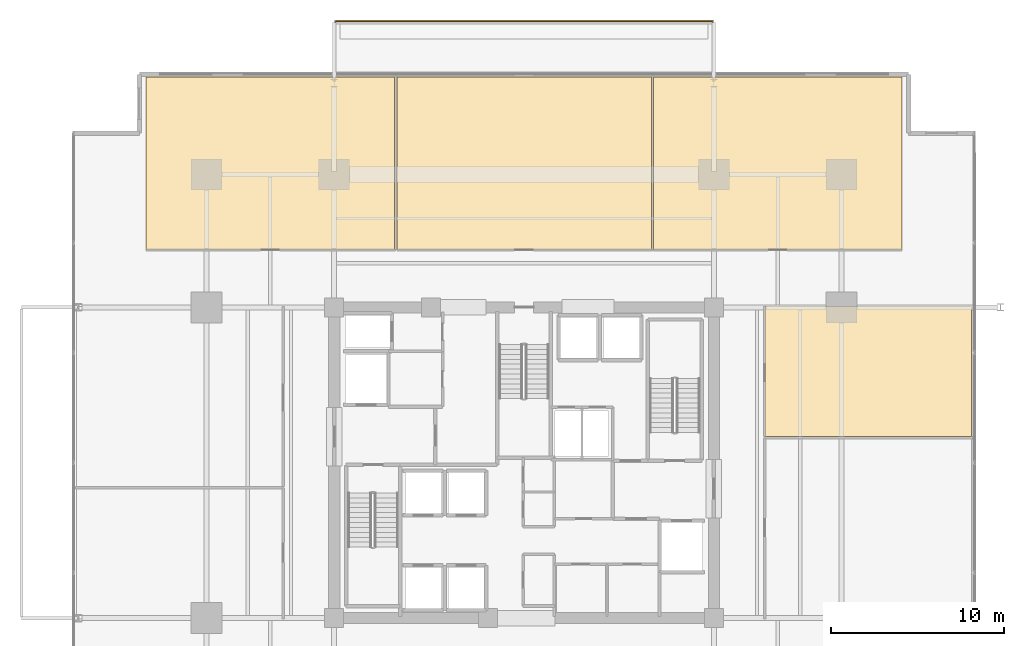
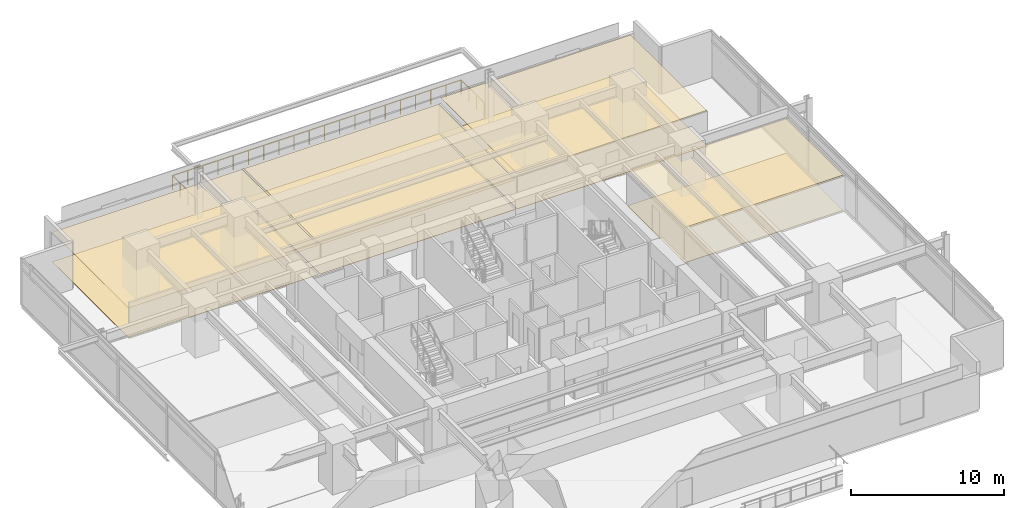
# One storey, part 22 of 22: 8 coverings, 1 railing.
"""IFC4 building model written with IfcOpenShell, lengths in metres."""

import ifcopenshell
import ifcopenshell.guid

model = None  # the IFC model being written
_history = None  # IfcOwnerHistory: only IFC2X3 demands one
_inside = {}  # id of a spatial element -> (the spatial element, [elements in it])
_under = {}  # id of a project, library or spatial element -> (it, [spatial elements below it])
_declared = {}  # id of a project -> (the project, [libraries it declares])
_typed = {}  # id of a type object -> (the type object, [elements of that type])
_made_of = {}  # id of a material, layer set ... -> (it, [elements and type objects made of it])


def new_model(schema):
    """Start an empty IFC model of exactly this schema.

    Asked for "IFC4X3", IfcOpenShell would pick the latest addendum, in which some entities
    have other attributes; the version numbers below select the first issue.
    IFC2X3 requires an IfcOwnerHistory on every rooted entity: one is made here for all.
    """
    global model, _history
    if schema == "IFC4X3":
        model = ifcopenshell.file(schema_version=(4, 3, 0, 0))
    else:
        model = ifcopenshell.file(schema=schema)
    _inside.clear()
    _under.clear()
    _declared.clear()
    _typed.clear()
    _made_of.clear()
    _history = None
    if model.schema == "IFC2X3":
        org = make("IfcOrganization", Name="unknown")
        user = make(
            "IfcPersonAndOrganization",
            ThePerson=make("IfcPerson", FamilyName="unknown"),
            TheOrganization=org,
        )
        app = make(
            "IfcApplication",
            ApplicationDeveloper=org,
            Version="unknown",
            ApplicationFullName="unknown",
            ApplicationIdentifier="unknown",
        )
        _history = make(
            "IfcOwnerHistory",
            OwningUser=user,
            OwningApplication=app,
            ChangeAction="ADDED",
            CreationDate=0,
        )
    return model


def make(cls, **values):
    """One entity of the class cls with the attributes given. An attribute that is None is left unset."""
    return model.create_entity(
        cls, **{name: value for name, value in values.items() if value is not None}
    )


def rooted(cls, **values):
    """An entity with a GlobalId (a new one), such as an element, a storey or a relation."""
    return make(cls, GlobalId=ifcopenshell.guid.new(), OwnerHistory=_history, **values)


def si_unit(unit_type, name, prefix=None):
    """IfcSIUnit, for example si_unit("LENGTHUNIT", "METRE", prefix="MILLI")."""
    return make("IfcSIUnit", UnitType=unit_type, Prefix=prefix, Name=name)


def assignment(units):
    """IfcUnitAssignment: the units of a project."""
    return None if units is None else make("IfcUnitAssignment", Units=units)


def point(xyz):
    """IfcCartesianPoint."""
    return None if xyz is None else make("IfcCartesianPoint", Coordinates=xyz)


def direction(xyz):
    """IfcDirection."""
    return None if xyz is None else make("IfcDirection", DirectionRatios=xyz)


def frame(location, z_axis=None, x_axis=None):
    """IfcAxis2Placement3D, a coordinate frame: its origin and axes. An axis left out is left unset."""
    return make(
        "IfcAxis2Placement3D",
        Location=point(location),
        Axis=direction(z_axis),
        RefDirection=direction(x_axis),
    )


def frame_2d(location, x_axis=None):
    """IfcAxis2Placement2D, a coordinate frame in the plane: its origin and x axis."""
    return make(
        "IfcAxis2Placement2D", Location=point(location), RefDirection=direction(x_axis)
    )


def origin():
    """The frame at (0, 0, 0) with its axes left unset."""
    return frame((0.0, 0.0, 0.0))


def origin_2d():
    """The frame at (0, 0) in the plane with its x axis left unset."""
    return frame_2d((0.0, 0.0))


def place(relative_to, where):
    """IfcLocalPlacement: puts the frame where relative to a parent placement (None: the world)."""
    return make(
        "IfcLocalPlacement", PlacementRelTo=relative_to, RelativePlacement=where
    )


def context(
    kind, dimensions, precision=None, world=None, true_north=None, identifier=None
):
    """IfcGeometricRepresentationContext, for example the 3D "Model" context."""
    return make(
        "IfcGeometricRepresentationContext",
        ContextIdentifier=identifier,
        ContextType=kind,
        CoordinateSpaceDimension=dimensions,
        Precision=precision,
        WorldCoordinateSystem=world,
        TrueNorth=true_north,
    )


def subcontext(parent, identifier, kind, view, scale=None):
    """IfcGeometricRepresentationSubContext, for example "Body" below "Model"."""
    return make(
        "IfcGeometricRepresentationSubContext",
        ContextIdentifier=identifier,
        ContextType=kind,
        ParentContext=parent,
        TargetScale=scale,
        TargetView=view,
    )


def project(units=None, contexts=None):
    """IfcProject with its units and contexts."""
    return rooted(
        "IfcProject",
        Name="project",
        RepresentationContexts=contexts,
        UnitsInContext=assignment(units),
    )


def spatial(cls, under=None, at=None, **own):
    """A site, building, storey or space (cls), placed at a placement, below another one or the project."""
    s = rooted(cls, ObjectPlacement=at, **own)
    if under is not None:
        _under.setdefault(under.id(), (under, []))[1].append(s)
    return s


def polyline(points):
    """IfcPolyline through the points."""
    return make("IfcPolyline", Points=[point(p) for p in points])


def profile(cls, at=None, kind="AREA", **sizes):
    """A parametric profile (cls). Its sizes go by their IFC names, for example OverallWidth=200.0."""
    return make(cls, ProfileType=kind, Position=at, **sizes)


def circle(**sizes):
    """IfcCircleProfileDef."""
    return profile("IfcCircleProfileDef", **sizes)


def outline(outer, holes=None, kind="AREA"):
    """IfcArbitraryClosedProfileDef: a profile drawn as a closed curve; with holes, ...WithVoids."""
    if holes is None:
        return make("IfcArbitraryClosedProfileDef", ProfileType=kind, OuterCurve=outer)
    return make(
        "IfcArbitraryProfileDefWithVoids",
        ProfileType=kind,
        OuterCurve=outer,
        InnerCurves=holes,
    )


def extrude(swept, where, along, depth):
    """IfcExtrudedAreaSolid: the profile swept, set in the frame where, extruded along a direction by depth."""
    return make(
        "IfcExtrudedAreaSolid",
        SweptArea=swept,
        Position=where,
        ExtrudedDirection=direction(along),
        Depth=depth,
    )


def shape(context_of_items, identifier, shape_type, items):
    """IfcShapeRepresentation: the items that make up one representation, for example the "Body"."""
    return make(
        "IfcShapeRepresentation",
        ContextOfItems=context_of_items,
        RepresentationIdentifier=identifier,
        RepresentationType=shape_type,
        Items=items,
    )


def material(Name=None, Category=None):
    """IfcMaterial."""
    return make("IfcMaterial", Name=Name, Category=Category)


def layer(
    of_material, thickness, ventilated=None, Name=None, Category=None, Priority=None
):
    """IfcMaterialLayer: one layer of a wall or slab, of a material (None: an air gap)."""
    return make(
        "IfcMaterialLayer",
        Material=of_material,
        LayerThickness=thickness,
        IsVentilated=ventilated,
        Name=Name,
        Category=Category,
        Priority=Priority,
    )


def layer_set(layers, Name=None):
    """IfcMaterialLayerSet."""
    return make("IfcMaterialLayerSet", MaterialLayers=layers, LayerSetName=Name)


def made_of(thing, what):
    """Note that an element or type object is made of a material, layer set ...; save() writes the relation."""
    if what is not None:
        _made_of.setdefault(what.id(), (what, []))[1].append(thing)
    return thing


def type_object(cls, material=None, **own):
    """A type object (cls), such as IfcWallType, which elements share."""
    return made_of(rooted(cls, **own), material)


def element(
    cls,
    number,
    at=None,
    inside=None,
    cuts=None,
    type_object=None,
    material=None,
    context=None,
    identifier="Body",
    shape_type=None,
    held_by="IfcProductDefinitionShape",
    body=None,
    shapes=None,
    **own,
):
    """One element of the class cls, such as IfcWall. Its Tag is "e" and its number.

    at: its placement. inside: the storey or other place that contains it. cuts: it is an
    opening in that element (IfcRelVoidsElement). A single representation is given by context,
    identifier, shape_type and body (its items); several are given by shapes. held_by: the class
    of the entity that holds the representations. save() writes the other relations.
    """
    e = rooted(cls, Tag="e%d" % number, ObjectPlacement=at, **own)
    if body is not None:
        shapes = [shape(context, identifier, shape_type, body)]
    if shapes is not None:
        e.Representation = make(held_by, Representations=shapes)
    if inside is not None:
        _inside.setdefault(inside.id(), (inside, []))[1].append(e)
    if cuts is not None:
        rooted(
            "IfcRelVoidsElement", RelatingBuildingElement=cuts, RelatedOpeningElement=e
        )
    if type_object is not None:
        _typed.setdefault(type_object.id(), (type_object, []))[1].append(e)
    return made_of(e, material)


def aggregate(whole, parts):
    """IfcRelAggregates: a whole, such as a stair, and the parts it consists of."""
    return rooted("IfcRelAggregates", RelatingObject=whole, RelatedObjects=parts)


def save(model, path):
    """Write the relations noted so far, then the file.

    IfcRelAggregates (storeys below a building ...), IfcRelContainedInSpatialStructure (elements
    in a storey), IfcRelDefinesByType, IfcRelAssociatesMaterial and IfcRelDeclares: one each for
    every whole, place, type object, material and project.
    """
    for whole, parts in _under.values():
        aggregate(whole, parts)
    for where, things in _inside.values():
        rooted(
            "IfcRelContainedInSpatialStructure",
            RelatedElements=things,
            RelatingStructure=where,
        )
    for kind, things in _typed.values():
        rooted("IfcRelDefinesByType", RelatedObjects=things, RelatingType=kind)
    for what, things in _made_of.values():
        rooted("IfcRelAssociatesMaterial", RelatedObjects=things, RelatingMaterial=what)
    for by, libraries in _declared.values():
        rooted("IfcRelDeclares", RelatingContext=by, RelatedDefinitions=libraries)
    model.write(path)


model = new_model("IFC4")

# Units and contexts
model_context = context("Model", 3, precision=1e-05, world=origin(), true_north=direction((0.0, 1.0)))
body_context = subcontext(model_context, "Body", "Model", "MODEL_VIEW")
ifc_project = project(units=[si_unit("LENGTHUNIT", "METRE"), si_unit("AREAUNIT", "SQUARE_METRE"), si_unit("VOLUMEUNIT", "CUBIC_METRE"), si_unit("PLANEANGLEUNIT", "RADIAN"), si_unit("MASSUNIT", "GRAM", prefix="KILO")], contexts=[model_context])

# Site, building, storey
site_placement = place(None, origin())
site = spatial("IfcSite", under=ifc_project, at=site_placement, CompositionType="ELEMENT")
building_placement = place(site_placement, origin())
building = spatial("IfcBuilding", under=site, at=building_placement, Name="Kovane Verandah Tower", CompositionType="ELEMENT")
storey_placement = place(building_placement, frame((0.0, 0.0, 71.60009765625)))
storey = spatial("IfcBuildingStorey", under=building, at=storey_placement, Name="L16", CompositionType="ELEMENT", Elevation=71.60009765625)

# Coverings
ifc_material_1 = material(Name="Perforated Acoustic Mineral-Fibre Ceiling Tile", Category="gypsum")
ifc_layer_1 = layer(ifc_material_1, 0.02490234375)
ifc_layer_set_1 = layer_set([ifc_layer_1], Name="Perforated Acoustic Mineral-Fibre Ceiling Tile")
covering_type_1 = type_object("IfcCoveringType", Name="CV-CEIL-25", PredefinedType="CEILING", material=ifc_layer_set_1)
covering_1_placement = place(storey_placement, frame((0.0, 0.0, 2.364990234375)))
element("IfcCovering", 1, at=covering_1_placement, inside=storey, type_object=covering_type_1, Name="L16 Meeting Room N1 Acoustic Ceiling", PredefinedType="CEILING", context=body_context, shape_type="SweptSolid", body=[
    extrude(outline(polyline([(18.113525390625, 39.85009765625), (32.488525390625, 39.85009765625), (32.488525390625, 49.8505859375), (18.113525390625, 49.8505859375), (18.113525390625, 39.85009765625)])), origin(), (0.0, 0.0, 1.0), 0.02490234375),
])
covering_2_placement = place(storey_placement, frame((0.0, 0.0, 2.364990234375)))
element("IfcCovering", 2, at=covering_2_placement, inside=storey, type_object=covering_type_1, Name="L16 Focus Studio N2 Acoustic Ceiling", PredefinedType="CEILING", context=body_context, shape_type="SweptSolid", body=[
    extrude(outline(polyline([(32.628662109375, 39.85009765625), (47.371337890625, 39.85009765625), (47.371337890625, 49.8505859375), (32.628662109375, 49.8505859375), (32.628662109375, 39.85009765625)])), origin(), (0.0, 0.0, 1.0), 0.02490234375),
])
covering_3_placement = place(storey_placement, frame((0.0, 0.0, 2.824951171875)))
element("IfcCovering", 3, at=covering_3_placement, inside=storey, type_object=covering_type_1, Name="L16 Breakout Pantry N3 Acoustic Ceiling", PredefinedType="CEILING", context=body_context, shape_type="SweptSolid", body=[
    extrude(outline(polyline([(47.511474609375, 39.85009765625), (61.886474609375, 39.85009765625), (61.886474609375, 49.8505859375), (47.511474609375, 49.8505859375), (47.511474609375, 39.85009765625)])), origin(), (0.0, 0.0, 1.0), 0.02490234375),
])
covering_4_placement = place(storey_placement, frame((0.0, 0.0, 2.824951171875)))
element("IfcCovering", 4, at=covering_4_placement, inside=storey, type_object=covering_type_1, Name="L16 Focus Studio E2 Acoustic Ceiling", PredefinedType="CEILING", context=body_context, shape_type="SweptSolid", body=[
    extrude(outline(polyline([(53.949951171875, 29.01806640625), (65.936279296875, 29.01806640625), (65.936279296875, 36.550048828125), (53.949951171875, 36.550048828125), (53.949951171875, 29.01806640625)])), origin(), (0.0, 0.0, 1.0), 0.02490234375),
])
ifc_material_2 = material(Name="Polished Terrazzo and Raised-Access Carpet Tile Finish", Category="concrete")
ifc_layer_2 = layer(ifc_material_2, 0.030029296875)
ifc_layer_set_2 = layer_set([ifc_layer_2], Name="Polished Terrazzo and Raised-Access Carpet Tile Finish")
covering_type_2 = type_object("IfcCoveringType", Name="CV-FLOR-30", PredefinedType="FLOORING", material=ifc_layer_set_2)
covering_5_placement = place(storey_placement, origin())
element("IfcCovering", 5, at=covering_5_placement, inside=storey, type_object=covering_type_2, Name="L16 Meeting Room N1 Floor Finish", PredefinedType="FLOORING", context=body_context, shape_type="SweptSolid", body=[
    extrude(outline(polyline([(18.113525390625, 39.85009765625), (32.488525390625, 39.85009765625), (32.488525390625, 49.8505859375), (18.113525390625, 49.8505859375), (18.113525390625, 39.85009765625)])), origin(), (0.0, 0.0, 1.0), 0.02978515625),
])
covering_6_placement = place(storey_placement, origin())
element("IfcCovering", 6, at=covering_6_placement, inside=storey, type_object=covering_type_2, Name="L16 Focus Studio N2 Floor Finish", PredefinedType="FLOORING", context=body_context, shape_type="SweptSolid", body=[
    extrude(outline(polyline([(32.628662109375, 39.85009765625), (47.371337890625, 39.85009765625), (47.371337890625, 49.8505859375), (32.628662109375, 49.8505859375), (32.628662109375, 39.85009765625)])), origin(), (0.0, 0.0, 1.0), 0.02978515625),
])
covering_7_placement = place(storey_placement, origin())
element("IfcCovering", 7, at=covering_7_placement, inside=storey, type_object=covering_type_2, Name="L16 Breakout Pantry N3 Floor Finish", PredefinedType="FLOORING", context=body_context, shape_type="SweptSolid", body=[
    extrude(outline(polyline([(47.511474609375, 39.85009765625), (61.886474609375, 39.85009765625), (61.886474609375, 49.8505859375), (47.511474609375, 49.8505859375), (47.511474609375, 39.85009765625)])), origin(), (0.0, 0.0, 1.0), 0.02978515625),
])
covering_8_placement = place(storey_placement, origin())
element("IfcCovering", 8, at=covering_8_placement, inside=storey, type_object=covering_type_2, Name="L16 Focus Studio E2 Floor Finish", PredefinedType="FLOORING", context=body_context, shape_type="SweptSolid", body=[
    extrude(outline(polyline([(53.949951171875, 29.01806640625), (65.936279296875, 29.01806640625), (65.936279296875, 36.550048828125), (53.949951171875, 36.550048828125), (53.949951171875, 29.01806640625)])), origin(), (0.0, 0.0, 1.0), 0.02978515625),
])

# Railing
ifc_material_3 = material(Name="Laminated Glass and Pale-Champagne Stainless Balustrade", Category="glass")
railing_type = type_object("IfcRailingType", Name="RL-BAL-1150", PredefinedType="BALUSTRADE", material=ifc_material_3)
railing_placement = place(storey_placement, frame((29.080078125, 50.050537109375, 0.0)))
element("IfcRailing", 9, at=railing_placement, inside=storey, type_object=railing_type, Name="L16 N Verandah Glass Balustrade", PredefinedType="BALUSTRADE", context=body_context, shape_type="SweptSolid", body=[
    extrude(circle(Radius=0.02392578125, at=origin_2d()), frame((0.0, 0.0, 1.1259765625), z_axis=(0.0, 1.0, 0.0), x_axis=(-1.0, 0.0, 0.0)), (0.0, 0.0, 1.0), 3.02001953125),
    extrude(circle(Radius=0.02392578125, at=origin_2d()), frame((0.0, 3.02001953125, 1.1259765625), z_axis=(1.0, 0.0, 0.0), x_axis=(0.0, 1.0, 0.0)), (0.0, 0.0, 1.0), 21.83984375),
    extrude(circle(Radius=0.02392578125, at=origin_2d()), frame((21.83984375, 3.02001953125, 1.1259765625), z_axis=(0.0, -1.0, 0.0), x_axis=(1.0, 0.0, 0.0)), (0.0, 0.0, 1.0), 3.02001953125),
    extrude(circle(Radius=0.02099609375, at=origin_2d()), origin(), (0.0, 0.0, 1.0), 1.101806640625),
    extrude(circle(Radius=0.02099609375, at=origin_2d()), frame((0.0, 1.006591796875, 0.0)), (0.0, 0.0, 1.0), 1.101806640625),
    extrude(circle(Radius=0.02099609375, at=origin_2d()), frame((0.0, 2.013427734375, 0.0)), (0.0, 0.0, 1.0), 1.101806640625),
    extrude(circle(Radius=0.02099609375, at=origin_2d()), frame((0.0, 3.02001953125, 0.0)), (0.0, 0.0, 1.0), 1.101806640625),
    extrude(circle(Radius=0.02099609375, at=origin_2d()), frame((1.1494140625, 3.02001953125, 0.0)), (0.0, 0.0, 1.0), 1.101806640625),
    extrude(circle(Radius=0.02099609375, at=origin_2d()), frame((2.298828125, 3.02001953125, 0.0)), (0.0, 0.0, 1.0), 1.101806640625),
    extrude(circle(Radius=0.02099609375, at=origin_2d()), frame((3.448486328125, 3.02001953125, 0.0)), (0.0, 0.0, 1.0), 1.101806640625),
    extrude(circle(Radius=0.02099609375, at=origin_2d()), frame((4.597900390625, 3.02001953125, 0.0)), (0.0, 0.0, 1.0), 1.101806640625),
    extrude(circle(Radius=0.02099609375, at=origin_2d()), frame((5.747314453125, 3.02001953125, 0.0)), (0.0, 0.0, 1.0), 1.101806640625),
    extrude(circle(Radius=0.02099609375, at=origin_2d()), frame((6.896728515625, 3.02001953125, 0.0)), (0.0, 0.0, 1.0), 1.101806640625),
    extrude(circle(Radius=0.02099609375, at=origin_2d()), frame((8.046142578125, 3.02001953125, 0.0)), (0.0, 0.0, 1.0), 1.101806640625),
    extrude(circle(Radius=0.02099609375, at=origin_2d()), frame((9.19580078125, 3.02001953125, 0.0)), (0.0, 0.0, 1.0), 1.101806640625),
    extrude(circle(Radius=0.02099609375, at=origin_2d()), frame((10.34521484375, 3.02001953125, 0.0)), (0.0, 0.0, 1.0), 1.101806640625),
    extrude(circle(Radius=0.02099609375, at=origin_2d()), frame((11.49462890625, 3.02001953125, 0.0)), (0.0, 0.0, 1.0), 1.101806640625),
    extrude(circle(Radius=0.02099609375, at=origin_2d()), frame((12.64404296875, 3.02001953125, 0.0)), (0.0, 0.0, 1.0), 1.101806640625),
    extrude(circle(Radius=0.02099609375, at=origin_2d()), frame((13.793701171875, 3.02001953125, 0.0)), (0.0, 0.0, 1.0), 1.101806640625),
    extrude(circle(Radius=0.02099609375, at=origin_2d()), frame((14.943115234375, 3.02001953125, 0.0)), (0.0, 0.0, 1.0), 1.101806640625),
    extrude(circle(Radius=0.02099609375, at=origin_2d()), frame((16.092529296875, 3.02001953125, 0.0)), (0.0, 0.0, 1.0), 1.101806640625),
    extrude(circle(Radius=0.02099609375, at=origin_2d()), frame((17.241943359375, 3.02001953125, 0.0)), (0.0, 0.0, 1.0), 1.101806640625),
    extrude(circle(Radius=0.02099609375, at=origin_2d()), frame((18.391357421875, 3.02001953125, 0.0)), (0.0, 0.0, 1.0), 1.101806640625),
    extrude(circle(Radius=0.02099609375, at=origin_2d()), frame((19.541015625, 3.02001953125, 0.0)), (0.0, 0.0, 1.0), 1.101806640625),
    extrude(circle(Radius=0.02099609375, at=origin_2d()), frame((20.6904296875, 3.02001953125, 0.0)), (0.0, 0.0, 1.0), 1.101806640625),
    extrude(circle(Radius=0.02099609375, at=origin_2d()), frame((21.83984375, 3.02001953125, 0.0)), (0.0, 0.0, 1.0), 1.101806640625),
    extrude(circle(Radius=0.02099609375, at=origin_2d()), frame((21.83984375, 2.013427734375, 0.0)), (0.0, 0.0, 1.0), 1.101806640625),
    extrude(circle(Radius=0.02099609375, at=origin_2d()), frame((21.83984375, 1.006591796875, 0.0)), (0.0, 0.0, 1.0), 1.101806640625),
    extrude(circle(Radius=0.02099609375, at=origin_2d()), frame((21.83984375, 0.0, 0.0)), (0.0, 0.0, 1.0), 1.101806640625),
])

save(model, "model.ifc")
